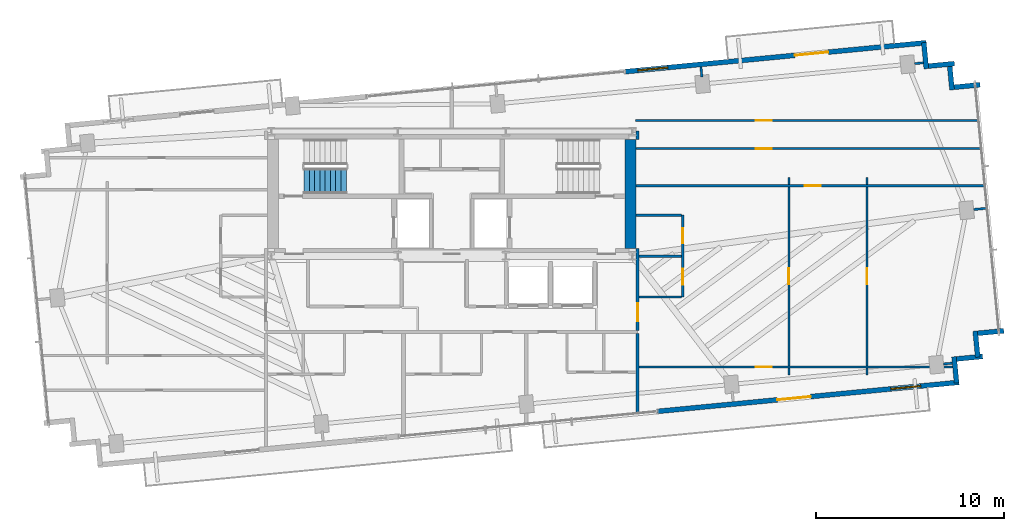
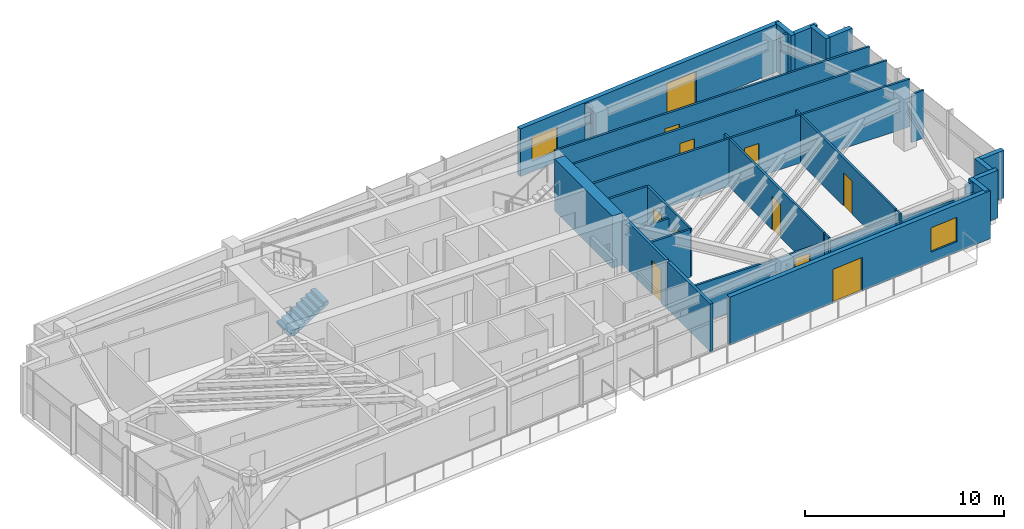
# One storey, part 15 of 18: 32 walls, 11 doors, 2 windows, 1 stair flight, 13 openings, 1 element without a shape of its own.
"""IFC4 building model written with IfcOpenShell, lengths in metres."""

from ifc_helpers import new_model, si_unit, direction, frame, frame_2d, origin, place, context, subcontext, project, spatial, polyline, rectangle, outline, extrude, source, transform, mapped, material, layer, layer_set, type_object, type_shapes, element, fill, aggregate, save


model = new_model("IFC4")

# Units and contexts
model_context = context("Model", 3, precision=1e-05, world=origin(), true_north=direction((0.0, 1.0)))
body_context = subcontext(model_context, "Body", "Model", "MODEL_VIEW")
ifc_project = project(units=[si_unit("LENGTHUNIT", "METRE"), si_unit("AREAUNIT", "SQUARE_METRE"), si_unit("VOLUMEUNIT", "CUBIC_METRE"), si_unit("PLANEANGLEUNIT", "RADIAN"), si_unit("MASSUNIT", "GRAM", prefix="KILO")], contexts=[model_context])

# Site, building, storey
site_placement = place(None, origin())
site = spatial("IfcSite", under=ifc_project, at=site_placement, CompositionType="ELEMENT")
building_placement = place(site_placement, origin())
building = spatial("IfcBuilding", under=site, at=building_placement, Name="Astriad Promenade Condominiums", CompositionType="ELEMENT")
storey_placement = place(building_placement, frame((0.0, 0.0, 195.39990234375)))
storey = spatial("IfcBuildingStorey", under=building, at=storey_placement, Name="L56", CompositionType="ELEMENT", Elevation=195.39990234375)

# Walls
ifc_material_1 = material(Name="Concrete C50/60", Category="concrete")
ifc_layer_1 = layer(ifc_material_1, 0.60009765625)
ifc_layer_set_1 = layer_set([ifc_layer_1], Name="Concrete C50/60")
wall_type_1 = type_object("IfcWallType", Name="CW-SHEAR-600", PredefinedType="SHEAR", material=ifc_layer_set_1)
wall_1_placement = place(storey_placement, frame((45.5, 17.802001953125, 0.0), z_axis=(0.0, 0.0, 1.0), x_axis=(0.0, 1.0, 0.0)))
element("IfcWall", 1, at=wall_1_placement, inside=storey, type_object=wall_type_1, Name="CW-CORE-E-L56", PredefinedType="SHEAR", context=body_context, shape_type="SweptSolid", body=[
    extrude(rectangle(XDim=5.7958984375, YDim=0.60009765625, at=frame_2d((2.89794921875, 0.0))), origin(), (0.0, 0.0, 1.0), 3.2001953125),
])
ifc_material_2 = material(Name="Fire-Rated Gypsum Partition")
ifc_layer_2 = layer(ifc_material_2, 0.159912109375)
ifc_layer_set_2 = layer_set([ifc_layer_2], Name="Fire-Rated Gypsum Partition")
wall_type_2 = type_object("IfcWallType", Name="WALL-CORR-160", PredefinedType="PARTITIONING", material=ifc_layer_set_2)
wall_2_placement = place(storey_placement, frame((45.8798828125, 8.98095703125, 0.0), z_axis=(0.0, 0.0, 1.0), x_axis=(0.0, 1.0, 0.0)))
element("IfcWall", 2, at=wall_2_placement, inside=storey, type_object=wall_type_2, Name="PT-COR-E-L56", PredefinedType="PARTITIONING", context=body_context, shape_type="SweptSolid", body=[
    extrude(rectangle(XDim=4.297119140625, YDim=0.159912109375, at=frame_2d((2.1484375, 0.0))), origin(), (0.0, 0.0, 1.0), 2.940185546875),
])

# Wall, opening, door
wall_3_placement = place(storey_placement, frame((45.8798828125, 13.44189453125, 0.0), z_axis=(0.0, 0.0, 1.0), x_axis=(0.0, 1.0, 0.0)))
wall_3 = element("IfcWall", 3, at=wall_3_placement, inside=storey, type_object=wall_type_2, Name="PT-COR-E-L56-S2", PredefinedType="PARTITIONING", context=body_context, shape_type="SweptSolid", body=[
    extrude(rectangle(XDim=4.360107421875, YDim=0.159912109375, at=frame_2d((2.18017578125, 0.0))), origin(), (0.0, 0.0, 1.0), 2.940185546875),
])
opening_1_placement = place(wall_3_placement, frame((0.492919921875, 0.0, 0.0)))
opening_1 = element("IfcOpeningElement", 4, at=opening_1_placement, cuts=wall_3, Name="Opening FD60-APT-095", PredefinedType="OPENING", context=body_context, shape_type="SweptSolid", body=[
    extrude(rectangle(XDim=0.949951171875, YDim=2.06005859375, at=frame_2d((0.47509765625, 1.030029296875))), frame((0.0, 0.08984375, 0.0), z_axis=(0.0, -1.0, 0.0), x_axis=(1.0, 0.0, 0.0)), (0.0, 0.0, 1.0), 0.179931640625),
])
ifc_material_3 = material(Name="Solid-Core Acoustic Timber Residence Entry Door", Category="wood")
door_type_1 = type_object("IfcDoorType", Name="FD60-APT-095", OperationType="NOTDEFINED", PredefinedType="DOOR", material=ifc_material_3)
shared_shape_1 = source(origin(), body_context, "Body", "SweptSolid", [
    extrude(rectangle(XDim=0.949951171875, YDim=2.06005859375, at=frame_2d((0.47509765625, 1.030029296875))), frame((0.0, 0.02490234375, 0.0), z_axis=(0.0, -1.0, 0.0), x_axis=(1.0, 0.0, 0.0)), (0.0, 0.0, 1.0), 0.050048828125),
])
type_shapes(door_type_1, [shared_shape_1])
door_1_placement = place(opening_1_placement, origin())
door_1 = element("IfcDoor", 5, at=door_1_placement, inside=storey, type_object=door_type_1, Name="D-ENT-L56-E1", OperationType="SINGLE_SWING_RIGHT", OverallHeight=2.06005859375, OverallWidth=0.949951171875, PredefinedType="DOOR", context=body_context, shape_type="MappedRepresentation", body=[
    mapped(shared_shape_1, transform((0.0, 0.0, 0.0), scale=1.0)),
])
fill(opening_1, door_1)

# Wall
wall_4_placement = place(storey_placement, frame((45.8798828125, 23.597900390625, 0.0), z_axis=(0.0, 0.0, 1.0), x_axis=(0.0, 1.0, 0.0)))
element("IfcWall", 6, at=wall_4_placement, inside=storey, type_object=wall_type_2, Name="PT-COR-E-L56-S3", PredefinedType="PARTITIONING", context=body_context, shape_type="SweptSolid", body=[
    extrude(rectangle(XDim=0.4521484375, YDim=0.159912109375, at=frame_2d((0.22607421875, 0.0))), origin(), (0.0, 0.0, 1.0), 2.940185546875),
])

# Wall, openings, door, window
ifc_material_4 = material(Name="Precast concrete C50/60", Category="concrete")
ifc_layer_3 = layer(ifc_material_4, 0.260009765625)
ifc_layer_set_3 = layer_set([ifc_layer_3], Name="Precast concrete C50/60")
wall_type_3 = type_object("IfcWallType", Name="WALL-EXT-TWR-260", PredefinedType="STANDARD", material=ifc_layer_set_3)
wall_5_placement = place(storey_placement, frame((45.198974609375, 27.189697265625, 0.0), z_axis=(0.0, 0.0, 1.0), x_axis=(0.995397074604, 0.095836652014, 0.0)))
wall_5 = element("IfcWall", 7, at=wall_5_placement, inside=storey, type_object=wall_type_3, Name="W-EXT-L56-N2", PredefinedType="STANDARD", context=body_context, shape_type="SweptSolid", body=[
    extrude(rectangle(XDim=16.10009765625, YDim=0.260009765625, at=frame_2d((8.050048828125, 0.0))), origin(), (0.0, 0.0, 1.0), 2.940185546875),
])
opening_2_placement = place(wall_5_placement, frame((9.070068359375, 0.0, 0.0)))
opening_2 = element("IfcOpeningElement", 8, at=opening_2_placement, cuts=wall_5, Name="Opening BD-1822-SLD", PredefinedType="OPENING", context=body_context, shape_type="SweptSolid", body=[
    extrude(rectangle(XDim=1.800048828125, YDim=2.06005859375, at=frame_2d((0.89990234375, 1.030029296875))), frame((0.0, 0.139892578125, 0.0), z_axis=(0.0, -1.0, 0.0), x_axis=(1.0, 0.0, 0.0)), (0.0, 0.0, 1.0), 0.280029296875),
])
opening_3_placement = place(wall_5_placement, frame((0.699951171875, 0.0, 0.64990234375)))
opening_3 = element("IfcOpeningElement", 9, at=opening_3_placement, cuts=wall_5, Name="Opening WIN-TWR-1620", PredefinedType="OPENING", context=body_context, shape_type="SweptSolid", body=[
    extrude(rectangle(XDim=1.60009765625, YDim=1.5, at=frame_2d((0.800048828125, 0.75))), frame((0.0, 0.139892578125, 0.0), z_axis=(0.0, -1.0, 0.0), x_axis=(1.0, 0.0, 0.0)), (0.0, 0.0, 1.0), 0.280029296875),
])
ifc_material_5 = material(Name="Thermally Broken Aluminium Sliding Balcony Door", Category="aluminium")
door_type_2 = type_object("IfcDoorType", Name="BD-1822-SLD", OperationType="NOTDEFINED", PredefinedType="DOOR", material=ifc_material_5)
shared_shape_2 = source(origin(), body_context, "Body", "SweptSolid", [
    extrude(rectangle(XDim=1.800048828125, YDim=2.06005859375, at=frame_2d((0.89990234375, 1.030029296875))), frame((0.0, 0.02490234375, 0.0), z_axis=(0.0, -1.0, 0.0), x_axis=(1.0, 0.0, 0.0)), (0.0, 0.0, 1.0), 0.050048828125),
])
type_shapes(door_type_2, [shared_shape_2])
door_2_placement = place(opening_2_placement, origin())
door_2 = element("IfcDoor", 10, at=door_2_placement, inside=storey, type_object=door_type_2, Name="BD-L56-NE", OperationType="SLIDING_TO_RIGHT", OverallHeight=2.06005859375, OverallWidth=1.800048828125, PredefinedType="DOOR", context=body_context, shape_type="MappedRepresentation", body=[
    mapped(shared_shape_2, transform((0.0, 0.0, 0.0), scale=1.0)),
])
fill(opening_2, door_2)
ifc_material_6 = material(Name="Dark Tinted Triple-Glazed Aluminium Window", Category="aluminium")
window_type = type_object("IfcWindowType", Name="WIN-TWR-1620", PartitioningType="SINGLE_PANEL", PredefinedType="WINDOW", material=ifc_material_6)
shared_shape_3 = source(origin(), body_context, "Body", "SweptSolid", [
    extrude(rectangle(XDim=1.60009765625, YDim=1.5, at=frame_2d((0.800048828125, 0.75))), frame((0.0, 0.030029296875, 0.0), z_axis=(0.0, -1.0, 0.0), x_axis=(1.0, 0.0, 0.0)), (0.0, 0.0, 1.0), 0.06005859375),
])
type_shapes(window_type, [shared_shape_3])
window_1_placement = place(opening_3_placement, origin())
window_1 = element("IfcWindow", 11, at=window_1_placement, inside=storey, type_object=window_type, Name="WIN-L56-NE", OverallHeight=1.5, OverallWidth=1.60009765625, PartitioningType="SINGLE_PANEL", PredefinedType="WINDOW", context=body_context, shape_type="MappedRepresentation", body=[
    mapped(shared_shape_3, transform((0.0, 0.0, 0.0), scale=1.0)),
])
fill(opening_3, window_1)

# Walls
wall_6_placement = place(storey_placement, frame((61.093994140625, 28.735107421875, 0.0), z_axis=(0.0, 0.0, 1.0), x_axis=(0.095742423056, -0.99540614245, 0.0)))
element("IfcWall", 12, at=wall_6_placement, inside=storey, type_object=wall_type_3, Name="W-SER-L56-09", PredefinedType="STANDARD", context=body_context, shape_type="SweptSolid", body=[
    extrude(rectangle(XDim=1.394775390625, YDim=0.260009765625, at=frame_2d((0.697265625, 0.0))), origin(), (0.0, 0.0, 1.0), 2.940185546875),
])
wall_7_placement = place(storey_placement, frame((61.32958984375, 27.487060546875, 0.0), z_axis=(0.0, 0.0, 1.0), x_axis=(0.995391056452, 0.09589913835, 0.0)))
element("IfcWall", 13, at=wall_7_placement, inside=storey, type_object=wall_type_3, Name="W-SER-L56-10", PredefinedType="STANDARD", context=body_context, shape_type="SweptSolid", body=[
    extrude(rectangle(XDim=1.39501953125, YDim=0.260009765625, at=frame_2d((0.697509765625, 0.0))), origin(), (0.0, 0.0, 1.0), 2.940185546875),
])
for number, where, z_axis, x_axis, name in (
    (14, (62.4580078125, 27.610595703125, 0.0), (0.0, 0.0, 1.0), (0.095915846097, -0.995389446633, 0.0), "W-SER-L56-11"),
    (15, (62.69384765625, 26.362548828125, 0.0), (0.0, 0.0, 1.0), (0.995389446633, 0.095915846097, 0.0), "W-SER-L56-12"),
):
    element("IfcWall", number, at=place(storey_placement, frame(where, z_axis=z_axis, x_axis=x_axis)), inside=storey, type_object=wall_type_3, Name=name, PredefinedType="STANDARD", context=body_context, shape_type="SweptSolid", body=[
        extrude(rectangle(XDim=1.394775390625, YDim=0.260009765625, at=frame_2d((0.697265625, 0.0))), origin(), (0.0, 0.0, 1.0), 2.940185546875),
    ])
wall_8_placement = place(storey_placement, frame((65.341796875, 13.416748046875, 0.0), z_axis=(0.0, 0.0, 1.0), x_axis=(-0.99540774648, -0.095725744959, 0.0)))
element("IfcWall", 16, at=wall_8_placement, inside=storey, type_object=wall_type_3, Name="W-SER-L56-14", PredefinedType="STANDARD", context=body_context, shape_type="SweptSolid", body=[
    extrude(rectangle(XDim=1.39501953125, YDim=0.260009765625, at=frame_2d((0.697509765625, 0.0))), origin(), (0.0, 0.0, 1.0), 2.940185546875),
])
wall_9_placement = place(storey_placement, frame((63.826171875, 13.4013671875, 0.0), z_axis=(0.0, 0.0, 1.0), x_axis=(0.095915846097, -0.995389446633, 0.0)))
element("IfcWall", 17, at=wall_9_placement, inside=storey, type_object=wall_type_3, Name="W-SER-L56-15", PredefinedType="STANDARD", context=body_context, shape_type="SweptSolid", body=[
    extrude(rectangle(XDim=1.394775390625, YDim=0.260009765625, at=frame_2d((0.697265625, 0.0))), origin(), (0.0, 0.0, 1.0), 2.940185546875),
])
for number, where, z_axis, x_axis, name in (
    (18, (64.21728515625, 12.052734375, 0.0), (0.0, 0.0, 1.0), (-0.99540774648, -0.095725744959, 0.0), "W-SER-L56-16"),
    (19, (62.701904296875, 12.037353515625, 0.0), (0.0, 0.0, 1.0), (0.095725744959, -0.99540774648, 0.0), "W-SER-L56-17"),
):
    element("IfcWall", number, at=place(storey_placement, frame(where, z_axis=z_axis, x_axis=x_axis)), inside=storey, type_object=wall_type_3, Name=name, PredefinedType="STANDARD", context=body_context, shape_type="SweptSolid", body=[
        extrude(rectangle(XDim=1.39501953125, YDim=0.260009765625, at=frame_2d((0.697509765625, 0.0))), origin(), (0.0, 0.0, 1.0), 2.940185546875),
    ])

# Wall, openings, door, window
wall_10_placement = place(storey_placement, frame((62.96337890625, 10.67626953125, 0.0), z_axis=(0.0, 0.0, 1.0), x_axis=(-0.995395627913, -0.095851676732, 0.0)))
wall_10 = element("IfcWall", 20, at=wall_10_placement, inside=storey, type_object=wall_type_3, Name="W-EXT-L56-S1", PredefinedType="STANDARD", context=body_context, shape_type="SweptSolid", body=[
    extrude(rectangle(XDim=16.10009765625, YDim=0.260009765625, at=frame_2d((8.050048828125, 0.0))), origin(), (0.0, 0.0, 1.0), 2.940185546875),
])
opening_4_placement = place(wall_10_placement, frame((7.909912109375, 0.0, 0.0)))
opening_4 = element("IfcOpeningElement", 21, at=opening_4_placement, cuts=wall_10, Name="Opening BD-1822-SLD", PredefinedType="OPENING", context=body_context, shape_type="SweptSolid", body=[
    extrude(rectangle(XDim=1.800048828125, YDim=2.06005859375, at=frame_2d((0.89990234375, 1.030029296875))), frame((0.0, 0.139892578125, 0.0), z_axis=(0.0, -1.0, 0.0), x_axis=(1.0, 0.0, 0.0)), (0.0, 0.0, 1.0), 0.280029296875),
])
opening_5_placement = place(wall_10_placement, frame((2.050048828125, 0.0, 0.64990234375)))
opening_5 = element("IfcOpeningElement", 22, at=opening_5_placement, cuts=wall_10, Name="Opening WIN-TWR-1620", PredefinedType="OPENING", context=body_context, shape_type="SweptSolid", body=[
    extrude(rectangle(XDim=1.60009765625, YDim=1.5, at=frame_2d((0.800048828125, 0.75))), frame((0.0, 0.139892578125, 0.0), z_axis=(0.0, -1.0, 0.0), x_axis=(1.0, 0.0, 0.0)), (0.0, 0.0, 1.0), 0.280029296875),
])
door_3_placement = place(opening_4_placement, origin())
door_3 = element("IfcDoor", 23, at=door_3_placement, inside=storey, type_object=door_type_2, Name="BD-L56-SE", OperationType="SLIDING_TO_RIGHT", OverallHeight=2.06005859375, OverallWidth=1.800048828125, PredefinedType="DOOR", context=body_context, shape_type="MappedRepresentation", body=[
    mapped(shared_shape_2, transform((0.0, 0.0, 0.0), scale=1.0)),
])
fill(opening_4, door_3)
window_2_placement = place(opening_5_placement, origin())
window_2 = element("IfcWindow", 24, at=window_2_placement, inside=storey, type_object=window_type, Name="WIN-L56-SE", OverallHeight=1.5, OverallWidth=1.60009765625, PartitioningType="SINGLE_PANEL", PredefinedType="WINDOW", context=body_context, shape_type="MappedRepresentation", body=[
    mapped(shared_shape_3, transform((0.0, 0.0, 0.0), scale=1.0)),
])
fill(opening_5, window_2)

# Wall, openings, doors
ifc_material_7 = material(Name="Acoustic Metal-Stud Gypsum Partition")
ifc_layer_4 = layer(ifc_material_7, 0.1201171875)
ifc_layer_set_4 = layer_set([ifc_layer_4], Name="Acoustic Metal-Stud Gypsum Partition")
wall_type_4 = type_object("IfcWallType", Name="WALL-PART-120", PredefinedType="PARTITIONING", material=ifc_layer_set_4)
wall_11_placement = place(storey_placement, frame((48.280029296875, 15.2099609375, 0.0), z_axis=(0.0, 0.0, 1.0), x_axis=(0.0, 1.0, 0.0)))
wall_11 = element("IfcWall", 25, at=wall_11_placement, inside=storey, type_object=wall_type_4, Name="PT-L56-E1-PV", PredefinedType="PARTITIONING", context=body_context, shape_type="SweptSolid", body=[
    extrude(rectangle(XDim=4.35009765625, YDim=0.1201171875, at=frame_2d((2.175048828125, 0.0))), origin(), (0.0, 0.0, 1.0), 2.940185546875),
])
opening_6_placement = place(wall_11_placement, frame((0.662109375, 0.0, 0.0)))
opening_6 = element("IfcOpeningElement", 26, at=opening_6_placement, cuts=wall_11, Name="Opening D-INT-085", PredefinedType="OPENING", context=body_context, shape_type="SweptSolid", body=[
    extrude(rectangle(XDim=0.85009765625, YDim=2.050048828125, at=frame_2d((0.425048828125, 1.02490234375))), frame((0.0, 0.070068359375, 0.0), z_axis=(0.0, -1.0, 0.0), x_axis=(1.0, 0.0, 0.0)), (0.0, 0.0, 1.0), 0.14013671875),
])
opening_7_placement = place(wall_11_placement, frame((2.863037109375, 0.0, 0.0)))
opening_7 = element("IfcOpeningElement", 27, at=opening_7_placement, cuts=wall_11, Name="Opening D-WET-080", PredefinedType="OPENING", context=body_context, shape_type="SweptSolid", body=[
    extrude(rectangle(XDim=0.800048828125, YDim=2.02001953125, at=frame_2d((0.39990234375, 1.010009765625))), frame((0.0, 0.070068359375, 0.0), z_axis=(0.0, -1.0, 0.0), x_axis=(1.0, 0.0, 0.0)), (0.0, 0.0, 1.0), 0.14013671875),
])
ifc_material_8 = material(Name="Moisture-Resistant Timber Bathroom Door", Category="wood")
door_type_3 = type_object("IfcDoorType", Name="D-WET-080", OperationType="NOTDEFINED", PredefinedType="DOOR", material=ifc_material_8)
shared_shape_4 = source(origin(), body_context, "Body", "SweptSolid", [
    extrude(rectangle(XDim=0.800048828125, YDim=2.02001953125, at=frame_2d((0.39990234375, 1.010009765625))), frame((0.0, 0.02490234375, 0.0), z_axis=(0.0, -1.0, 0.0), x_axis=(1.0, 0.0, 0.0)), (0.0, 0.0, 1.0), 0.050048828125),
])
type_shapes(door_type_3, [shared_shape_4])
door_4_placement = place(opening_7_placement, origin())
door_4 = element("IfcDoor", 28, at=door_4_placement, inside=storey, type_object=door_type_3, Name="D-BTH-L56-E1", OperationType="SINGLE_SWING_RIGHT", OverallHeight=2.02001953125, OverallWidth=0.800048828125, PredefinedType="DOOR", context=body_context, shape_type="MappedRepresentation", body=[
    mapped(shared_shape_4, transform((0.0, 0.0, 0.0), scale=1.0)),
])
fill(opening_7, door_4)
ifc_material_9 = material(Name="Painted Solid-Core Timber Room Door", Category="wood")
door_type_4 = type_object("IfcDoorType", Name="D-INT-085", OperationType="NOTDEFINED", PredefinedType="DOOR", material=ifc_material_9)
shared_shape_5 = source(origin(), body_context, "Body", "SweptSolid", [
    extrude(rectangle(XDim=0.85009765625, YDim=2.050048828125, at=frame_2d((0.425048828125, 1.02490234375))), frame((0.0, 0.02490234375, 0.0), z_axis=(0.0, -1.0, 0.0), x_axis=(1.0, 0.0, 0.0)), (0.0, 0.0, 1.0), 0.050048828125),
])
type_shapes(door_type_4, [shared_shape_5])
door_5_placement = place(opening_6_placement, origin())
door_5 = element("IfcDoor", 29, at=door_5_placement, inside=storey, type_object=door_type_4, Name="D-KIT-L56-E1", OperationType="SINGLE_SWING_LEFT", OverallHeight=2.050048828125, OverallWidth=0.85009765625, PredefinedType="DOOR", context=body_context, shape_type="MappedRepresentation", body=[
    mapped(shared_shape_5, transform((0.0, 0.0, 0.0), scale=1.0)),
])
fill(opening_6, door_5)

# Walls
wall_12_placement = place(storey_placement, frame((45.9619140625, 17.385009765625, 0.0), z_axis=(0.0, 0.0, 1.0), x_axis=(1.0, 0.0, 0.0)))
element("IfcWall", 30, at=wall_12_placement, inside=storey, type_object=wall_type_4, Name="PT-L56-E1-PM", PredefinedType="PARTITIONING", context=body_context, shape_type="SweptSolid", body=[
    extrude(rectangle(XDim=2.256103515625, YDim=0.1201171875, at=frame_2d((1.1279296875, 0.0))), origin(), (0.0, 0.0, 1.0), 2.281494140625),
])
wall_13_placement = place(storey_placement, frame((45.9619140625, 15.2099609375, 0.0), z_axis=(0.0, 0.0, 1.0), x_axis=(1.0, 0.0, 0.0)))
element("IfcWall", 31, at=wall_13_placement, inside=storey, type_object=wall_type_4, Name="PT-L56-E1-PS", PredefinedType="PARTITIONING", context=body_context, shape_type="SweptSolid", body=[
    extrude(rectangle(XDim=2.256103515625, YDim=0.1201171875, at=frame_2d((1.1279296875, 0.0))), origin(), (0.0, 0.0, 1.0), 2.940185546875),
])
wall_14_placement = place(storey_placement, frame((45.802001953125, 19.56005859375, 0.0), z_axis=(0.0, 0.0, 1.0), x_axis=(1.0, 0.0, 0.0)))
element("IfcWall", 32, at=wall_14_placement, inside=storey, type_object=wall_type_4, Name="PT-L56-E1-PN", PredefinedType="PARTITIONING", context=body_context, shape_type="SweptSolid", body=[
    extrude(rectangle(XDim=2.416015625, YDim=0.1201171875, at=frame_2d((1.2080078125, 0.0))), origin(), (0.0, 0.0, 1.0), 2.940185546875),
])

# Wall, opening, door
wall_15_placement = place(storey_placement, frame((45.760009765625, 24.596923828125, 0.0), z_axis=(0.0, 0.0, 1.0), x_axis=(1.0, 0.0, 0.0)))
wall_15 = element("IfcWall", 33, at=wall_15_placement, inside=storey, type_object=wall_type_4, Name="PT-L56-E1-WDN1", PredefinedType="PARTITIONING", context=body_context, shape_type="SweptSolid", body=[
    extrude(rectangle(XDim=18.294189453125, YDim=0.1201171875, at=frame_2d((9.14697265625, 0.0))), origin(), (0.0, 0.0, 1.0), 2.940185546875),
])
opening_8_placement = place(wall_15_placement, frame((6.387939453125, 0.0, 0.0)))
opening_8 = element("IfcOpeningElement", 34, at=opening_8_placement, cuts=wall_15, Name="Opening D-INT-085", PredefinedType="OPENING", context=body_context, shape_type="SweptSolid", body=[
    extrude(rectangle(XDim=0.85009765625, YDim=2.050048828125, at=frame_2d((0.425048828125, 1.02490234375))), frame((0.0, 0.070068359375, 0.0), z_axis=(0.0, -1.0, 0.0), x_axis=(1.0, 0.0, 0.0)), (0.0, 0.0, 1.0), 0.14013671875),
])
door_6_placement = place(opening_8_placement, origin())
door_6 = element("IfcDoor", 35, at=door_6_placement, inside=storey, type_object=door_type_4, Name="D-WDN1-L56-E1", OperationType="SINGLE_SWING_LEFT", OverallHeight=2.050048828125, OverallWidth=0.85009765625, PredefinedType="DOOR", context=body_context, shape_type="MappedRepresentation", body=[
    mapped(shared_shape_5, transform((0.0, 0.0, 0.0), scale=1.0)),
])
fill(opening_8, door_6)

wall_16_placement = place(storey_placement, frame((45.802001953125, 23.10205078125, 0.0), z_axis=(0.0, 0.0, 1.0), x_axis=(1.0, 0.0, 0.0)))
wall_16 = element("IfcWall", 36, at=wall_16_placement, inside=storey, type_object=wall_type_4, Name="PT-L56-E1-WDN2", PredefinedType="PARTITIONING", context=body_context, shape_type="SweptSolid", body=[
    extrude(rectangle(XDim=18.39599609375, YDim=0.1201171875, at=frame_2d((9.197998046875, 0.0))), origin(), (0.0, 0.0, 1.0), 2.940185546875),
])
opening_9_placement = place(wall_16_placement, frame((6.345947265625, 0.0, 0.0)))
opening_9 = element("IfcOpeningElement", 37, at=opening_9_placement, cuts=wall_16, Name="Opening D-INT-085", PredefinedType="OPENING", context=body_context, shape_type="SweptSolid", body=[
    extrude(rectangle(XDim=0.85009765625, YDim=2.050048828125, at=frame_2d((0.425048828125, 1.02490234375))), frame((0.0, 0.070068359375, 0.0), z_axis=(0.0, -1.0, 0.0), x_axis=(1.0, 0.0, 0.0)), (0.0, 0.0, 1.0), 0.14013671875),
])
door_7_placement = place(opening_9_placement, origin())
door_7 = element("IfcDoor", 38, at=door_7_placement, inside=storey, type_object=door_type_4, Name="D-WDN2-L56-E1", OperationType="SINGLE_SWING_RIGHT", OverallHeight=2.050048828125, OverallWidth=0.85009765625, PredefinedType="DOOR", context=body_context, shape_type="MappedRepresentation", body=[
    mapped(shared_shape_5, transform((0.0, 0.0, 0.0), scale=1.0)),
])
fill(opening_9, door_7)

wall_17_placement = place(storey_placement, frame((45.9619140625, 11.493896484375, 0.0), z_axis=(0.0, 0.0, 1.0), x_axis=(1.0, 0.0, 0.0)))
wall_17 = element("IfcWall", 39, at=wall_17_placement, inside=storey, type_object=wall_type_4, Name="PT-L56-E1-WDS3", PredefinedType="PARTITIONING", context=body_context, shape_type="SweptSolid", body=[
    extrude(rectangle(XDim=16.65966796875, YDim=0.1201171875, at=frame_2d((8.329833984375, 0.0))), origin(), (0.0, 0.0, 1.0), 2.382568359375),
])
opening_10_placement = place(wall_17_placement, frame((6.18603515625, 0.0, 0.0)))
opening_10 = element("IfcOpeningElement", 40, at=opening_10_placement, cuts=wall_17, Name="Opening D-INT-085", PredefinedType="OPENING", context=body_context, shape_type="SweptSolid", body=[
    extrude(rectangle(XDim=0.85009765625, YDim=2.050048828125, at=frame_2d((0.425048828125, 1.02490234375))), frame((0.0, 0.070068359375, 0.0), z_axis=(0.0, -1.0, 0.0), x_axis=(1.0, 0.0, 0.0)), (0.0, 0.0, 1.0), 0.14013671875),
])
door_8_placement = place(opening_10_placement, origin())
door_8 = element("IfcDoor", 41, at=door_8_placement, inside=storey, type_object=door_type_4, Name="D-WDS3-L56-E1", OperationType="SINGLE_SWING_LEFT", OverallHeight=2.050048828125, OverallWidth=0.85009765625, PredefinedType="DOOR", context=body_context, shape_type="MappedRepresentation", body=[
    mapped(shared_shape_5, transform((0.0, 0.0, 0.0), scale=1.0)),
])
fill(opening_10, door_8)

wall_18_placement = place(storey_placement, frame((45.802001953125, 21.126953125, 0.0), z_axis=(0.0, 0.0, 1.0), x_axis=(1.0, 0.0, 0.0)))
wall_18 = element("IfcWall", 42, at=wall_18_placement, inside=storey, type_object=wall_type_4, Name="PT-L56-E1-WDN4", PredefinedType="PARTITIONING", context=body_context, shape_type="SweptSolid", body=[
    extrude(rectangle(XDim=18.586181640625, YDim=0.1201171875, at=frame_2d((9.29296875, 0.0))), origin(), (0.0, 0.0, 1.0), 2.940185546875),
])
opening_11_placement = place(wall_18_placement, frame((8.9541015625, 0.0, 0.0)))
opening_11 = element("IfcOpeningElement", 43, at=opening_11_placement, cuts=wall_18, Name="Opening D-INT-085", PredefinedType="OPENING", context=body_context, shape_type="SweptSolid", body=[
    extrude(rectangle(XDim=0.85009765625, YDim=2.050048828125, at=frame_2d((0.425048828125, 1.02490234375))), frame((0.0, 0.070068359375, 0.0), z_axis=(0.0, -1.0, 0.0), x_axis=(1.0, 0.0, 0.0)), (0.0, 0.0, 1.0), 0.14013671875),
])
door_9_placement = place(opening_11_placement, origin())
door_9 = element("IfcDoor", 44, at=door_9_placement, inside=storey, type_object=door_type_4, Name="D-WDN4-L56-E1", OperationType="SINGLE_SWING_RIGHT", OverallHeight=2.050048828125, OverallWidth=0.85009765625, PredefinedType="DOOR", context=body_context, shape_type="MappedRepresentation", body=[
    mapped(shared_shape_5, transform((0.0, 0.0, 0.0), scale=1.0)),
])
fill(opening_11, door_9)

# Wall
wall_19_placement = place(storey_placement, frame((58.070068359375, 11.053955078125, 0.0), z_axis=(0.0, 0.0, 1.0), x_axis=(0.0, 1.0, 0.0)))
element("IfcWall", 45, at=wall_19_placement, inside=storey, type_object=wall_type_4, Name="PT-L56-E1-WDV5", PredefinedType="PARTITIONING", context=body_context, shape_type="SweptSolid", body=[
    extrude(rectangle(XDim=0.3779296875, YDim=0.1201171875, at=frame_2d((0.18896484375, 0.0))), origin(), (0.0, 0.0, 1.0), 2.940185546875),
])

# Wall, opening, door
wall_20_placement = place(storey_placement, frame((58.070068359375, 11.555908203125, 0.0), z_axis=(0.0, 0.0, 1.0), x_axis=(0.0, 1.0, 0.0)))
wall_20 = element("IfcWall", 46, at=wall_20_placement, inside=storey, type_object=wall_type_4, Name="PT-L56-E1-WDV5-S2", PredefinedType="PARTITIONING", context=body_context, shape_type="SweptSolid", body=[
    extrude(rectangle(XDim=9.509033203125, YDim=0.1201171875, at=frame_2d((4.75439453125, 0.0))), origin(), (0.0, 0.0, 1.0), 2.940185546875),
])
opening_12_placement = place(wall_20_placement, frame((4.3291015625, 0.0, 0.0)))
opening_12 = element("IfcOpeningElement", 47, at=opening_12_placement, cuts=wall_20, Name="Opening D-INT-085", PredefinedType="OPENING", context=body_context, shape_type="SweptSolid", body=[
    extrude(rectangle(XDim=0.85009765625, YDim=2.050048828125, at=frame_2d((0.425048828125, 1.02490234375))), frame((0.0, 0.070068359375, 0.0), z_axis=(0.0, -1.0, 0.0), x_axis=(1.0, 0.0, 0.0)), (0.0, 0.0, 1.0), 0.14013671875),
])
door_10_placement = place(opening_12_placement, origin())
door_10 = element("IfcDoor", 48, at=door_10_placement, inside=storey, type_object=door_type_4, Name="D-WDV5-L56-E1", OperationType="SINGLE_SWING_LEFT", OverallHeight=2.050048828125, OverallWidth=0.85009765625, PredefinedType="DOOR", context=body_context, shape_type="MappedRepresentation", body=[
    mapped(shared_shape_5, transform((0.0, 0.0, 0.0), scale=1.0)),
])
fill(opening_12, door_10)

# Walls
for number, where, z_axis, x_axis, name in (
    (49, (58.070068359375, 21.18896484375, 0.0), (0.0, 0.0, 1.0), (0.0, 1.0, 0.0), "PT-L56-E1-WDV5-S3"),
    (50, (53.923095703125, 11.053955078125, 0.0), (0.0, 0.0, 1.0), (0.0, 1.0, 0.0), "PT-L56-E1-WDV6"),
):
    element("IfcWall", number, at=place(storey_placement, frame(where, z_axis=z_axis, x_axis=x_axis)), inside=storey, type_object=wall_type_4, Name=name, PredefinedType="PARTITIONING", context=body_context, shape_type="SweptSolid", body=[
        extrude(rectangle(XDim=0.3779296875, YDim=0.1201171875, at=frame_2d((0.18896484375, 0.0))), origin(), (0.0, 0.0, 1.0), 2.940185546875),
    ])

# Wall, opening, door
wall_21_placement = place(storey_placement, frame((53.923095703125, 11.555908203125, 0.0), z_axis=(0.0, 0.0, 1.0), x_axis=(0.0, 1.0, 0.0)))
wall_21 = element("IfcWall", 51, at=wall_21_placement, inside=storey, type_object=wall_type_4, Name="PT-L56-E1-WDV6-S2", PredefinedType="PARTITIONING", context=body_context, shape_type="SweptSolid", body=[
    extrude(rectangle(XDim=9.509033203125, YDim=0.1201171875, at=frame_2d((4.75439453125, 0.0))), origin(), (0.0, 0.0, 1.0), 2.940185546875),
])
opening_13_placement = place(wall_21_placement, frame((4.3291015625, 0.0, 0.0)))
opening_13 = element("IfcOpeningElement", 52, at=opening_13_placement, cuts=wall_21, Name="Opening D-INT-085", PredefinedType="OPENING", context=body_context, shape_type="SweptSolid", body=[
    extrude(rectangle(XDim=0.85009765625, YDim=2.050048828125, at=frame_2d((0.425048828125, 1.02490234375))), frame((0.0, 0.070068359375, 0.0), z_axis=(0.0, -1.0, 0.0), x_axis=(1.0, 0.0, 0.0)), (0.0, 0.0, 1.0), 0.14013671875),
])
door_11_placement = place(opening_13_placement, origin())
door_11 = element("IfcDoor", 53, at=door_11_placement, inside=storey, type_object=door_type_4, Name="D-WDV6-L56-E1", OperationType="SINGLE_SWING_RIGHT", OverallHeight=2.050048828125, OverallWidth=0.85009765625, PredefinedType="DOOR", context=body_context, shape_type="MappedRepresentation", body=[
    mapped(shared_shape_5, transform((0.0, 0.0, 0.0), scale=1.0)),
])
fill(opening_13, door_11)

# Walls
wall_22_placement = place(storey_placement, frame((53.923095703125, 21.18896484375, 0.0), z_axis=(0.0, 0.0, 1.0), x_axis=(0.0, 1.0, 0.0)))
element("IfcWall", 54, at=wall_22_placement, inside=storey, type_object=wall_type_4, Name="PT-L56-E1-WDV6-S3", PredefinedType="PARTITIONING", context=body_context, shape_type="SweptSolid", body=[
    extrude(rectangle(XDim=0.3779296875, YDim=0.1201171875, at=frame_2d((0.18896484375, 0.0))), origin(), (0.0, 0.0, 1.0), 2.940185546875),
])
wall_23_placement = place(storey_placement, frame((62.146240234375, 11.65234375, 0.0), z_axis=(0.0, 0.0, 1.0), x_axis=(0.995384576284, 0.09596637586, 0.0)))
element("IfcWall", 55, at=wall_23_placement, inside=storey, type_object=wall_type_4, Name="PT-PIL-L56-PC05-12", PredefinedType="PARTITIONING", context=body_context, shape_type="SweptSolid", body=[
    extrude(rectangle(XDim=0.4580078125, YDim=0.1201171875, at=frame_2d((0.22900390625, 0.0))), origin(), (0.0, 0.0, 1.0), 2.940185546875),
])
wall_24_placement = place(storey_placement, frame((49.29443359375, 26.910888671875, 0.0), z_axis=(0.0, 0.0, 1.0), x_axis=(-0.095772948675, 0.995403205893, 0.0)))
element("IfcWall", 56, at=wall_24_placement, inside=storey, type_object=wall_type_4, Name="PT-PIL-L56-PC09-16", PredefinedType="PARTITIONING", context=body_context, shape_type="SweptSolid", body=[
    extrude(rectangle(XDim=0.537841796875, YDim=0.1201171875, at=frame_2d((0.26904296875, 0.0))), origin(), (0.0, 0.0, 1.0), 2.940185546875),
])
wall_25_placement = place(storey_placement, frame((60.60888671875, 27.618408203125, 0.0), z_axis=(0.0, 0.0, 1.0), x_axis=(0.995384576284, 0.09596637586, 0.0)))
element("IfcWall", 57, at=wall_25_placement, inside=storey, type_object=wall_type_4, Name="PT-PIL-L56-PC10-17", PredefinedType="PARTITIONING", context=body_context, shape_type="SweptSolid", body=[
    extrude(rectangle(XDim=0.4580078125, YDim=0.1201171875, at=frame_2d((0.22900390625, 0.0))), origin(), (0.0, 0.0, 1.0), 2.940185546875),
])
wall_26_placement = place(storey_placement, frame((63.74658203125, 19.863525390625, 0.0), z_axis=(0.0, 0.0, 1.0), x_axis=(0.995405496295, 0.095749140702, 0.0)))
element("IfcWall", 58, at=wall_26_placement, inside=storey, type_object=wall_type_4, Name="PT-PIL-L56-PC12-19", PredefinedType="PARTITIONING", context=body_context, shape_type="SweptSolid", body=[
    extrude(rectangle(XDim=0.759765625, YDim=0.1201171875, at=frame_2d((0.3798828125, 0.0))), origin(), (0.0, 0.0, 1.0), 2.940185546875),
])

# Stair, stair flight
stair_type = type_object("IfcStairType", Name="STR-CORE-1350", PredefinedType="HALF_TURN_STAIR", material=ifc_material_1)
stair_placement = place(storey_placement, origin())
stair = element("IfcStair", 59, at=stair_placement, inside=storey, type_object=stair_type, Name="L56 Enclosed Core Exit Stair ST-1", PredefinedType="HALF_TURN_STAIR")
stair_flight_type = type_object("IfcStairFlightType", Name="SFL-CORE-1350", PredefinedType="STRAIGHT", material=ifc_material_1)
shared_shape_6 = source(origin(), body_context, "Body", "SweptSolid", [
    extrude(outline(polyline([(0.0, 0.0), (0.0, 0.177734375), (0.280029296875, 0.177734375), (0.280029296875, 0.35546875), (0.56005859375, 0.35546875), (0.56005859375, 0.533447265625), (0.840087890625, 0.533447265625), (0.840087890625, 0.711181640625), (1.1201171875, 0.711181640625), (1.1201171875, 0.888916015625), (1.39990234375, 0.888916015625), (1.39990234375, 1.066650390625), (1.679931640625, 1.066650390625), (1.679931640625, 1.244384765625), (1.9599609375, 1.244384765625), (1.9599609375, 1.422119140625), (2.239990234375, 1.422119140625), (2.239990234375, 1.60009765625), (2.239990234375, 1.24462890625), (0.27978515625, 0.0), (0.0, 0.0)])), frame((0.0, 0.675048828125, 0.0), z_axis=(0.0, -1.0, 0.0), x_axis=(1.0, 0.0, 0.0)), (0.0, 0.0, 1.0), 1.35009765625),
])
type_shapes(stair_flight_type, [shared_shape_6])
stair_flight_placement = place(storey_placement, frame((28.14990234375, 21.375, 0.0), z_axis=(0.0, 0.0, 1.0), x_axis=(1.0, 0.0, 0.0)))
stair_flight = element("IfcStairFlight", 60, at=stair_flight_placement, type_object=stair_flight_type, Name="ST-1 flight 1", NumberOfRisers=9, NumberOfTreads=8, PredefinedType="STRAIGHT", RiserHeight=0.177777778, TreadLength=0.28, context=body_context, shape_type="MappedRepresentation", body=[
    mapped(shared_shape_6, transform((0.0, 0.0, 0.0), scale=1.0)),
])
aggregate(stair, [stair_flight])

save(model, "model.ifc")
